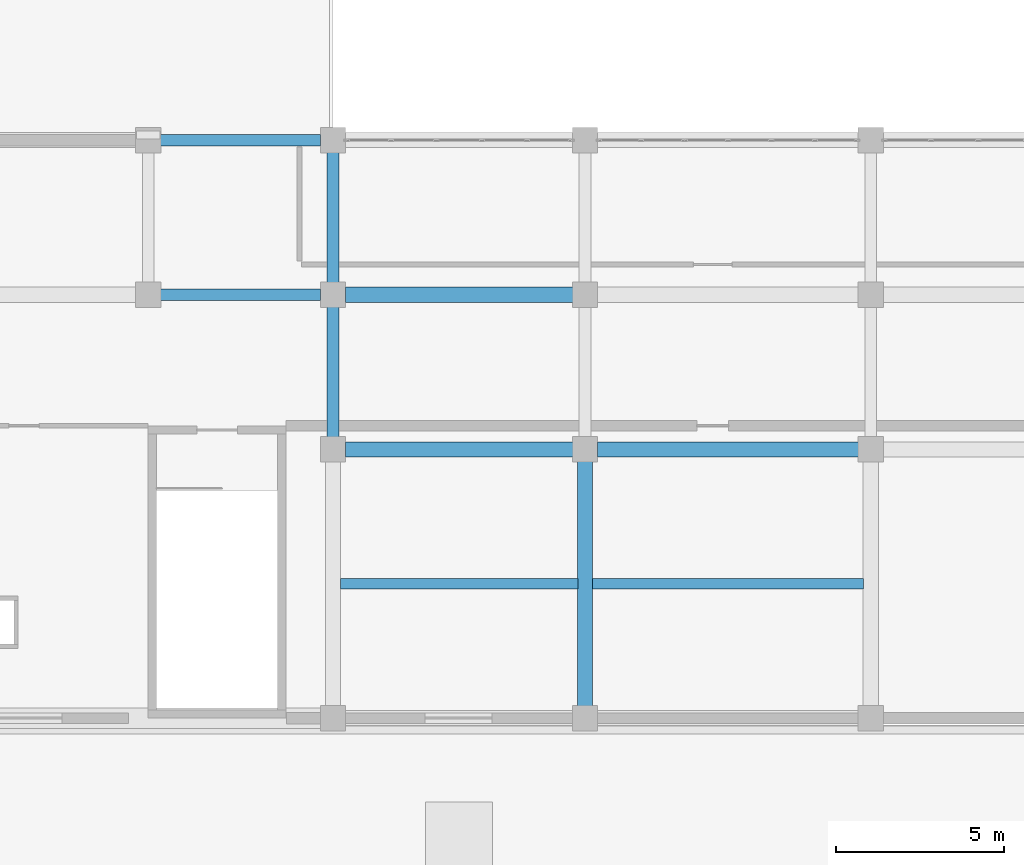
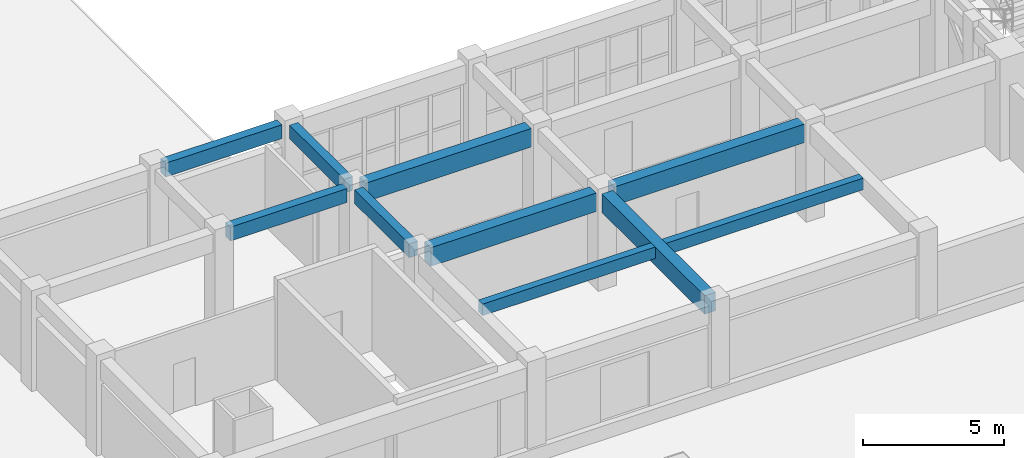
# One storey, part 2 of 90: 10 beams.
"""IFC4 building model written with IfcOpenShell, lengths in metres."""

import ifcopenshell
import ifcopenshell.guid

model = None  # the IFC model being written
_history = None  # IfcOwnerHistory: only IFC2X3 demands one
_inside = {}  # id of a spatial element -> (the spatial element, [elements in it])
_under = {}  # id of a project, library or spatial element -> (it, [spatial elements below it])
_declared = {}  # id of a project -> (the project, [libraries it declares])
_typed = {}  # id of a type object -> (the type object, [elements of that type])
_made_of = {}  # id of a material, layer set ... -> (it, [elements and type objects made of it])


def new_model(schema):
    """Start an empty IFC model of exactly this schema.

    Asked for "IFC4X3", IfcOpenShell would pick the latest addendum, in which some entities
    have other attributes; the version numbers below select the first issue.
    IFC2X3 requires an IfcOwnerHistory on every rooted entity: one is made here for all.
    """
    global model, _history
    if schema == "IFC4X3":
        model = ifcopenshell.file(schema_version=(4, 3, 0, 0))
    else:
        model = ifcopenshell.file(schema=schema)
    _inside.clear()
    _under.clear()
    _declared.clear()
    _typed.clear()
    _made_of.clear()
    _history = None
    if model.schema == "IFC2X3":
        org = make("IfcOrganization", Name="unknown")
        user = make(
            "IfcPersonAndOrganization",
            ThePerson=make("IfcPerson", FamilyName="unknown"),
            TheOrganization=org,
        )
        app = make(
            "IfcApplication",
            ApplicationDeveloper=org,
            Version="unknown",
            ApplicationFullName="unknown",
            ApplicationIdentifier="unknown",
        )
        _history = make(
            "IfcOwnerHistory",
            OwningUser=user,
            OwningApplication=app,
            ChangeAction="ADDED",
            CreationDate=0,
        )
    return model


def make(cls, **values):
    """One entity of the class cls with the attributes given. An attribute that is None is left unset."""
    return model.create_entity(
        cls, **{name: value for name, value in values.items() if value is not None}
    )


def rooted(cls, **values):
    """An entity with a GlobalId (a new one), such as an element, a storey or a relation."""
    return make(cls, GlobalId=ifcopenshell.guid.new(), OwnerHistory=_history, **values)


def si_unit(unit_type, name, prefix=None):
    """IfcSIUnit, for example si_unit("LENGTHUNIT", "METRE", prefix="MILLI")."""
    return make("IfcSIUnit", UnitType=unit_type, Prefix=prefix, Name=name)


def assignment(units):
    """IfcUnitAssignment: the units of a project."""
    return None if units is None else make("IfcUnitAssignment", Units=units)


def point(xyz):
    """IfcCartesianPoint."""
    return None if xyz is None else make("IfcCartesianPoint", Coordinates=xyz)


def direction(xyz):
    """IfcDirection."""
    return None if xyz is None else make("IfcDirection", DirectionRatios=xyz)


def frame(location, z_axis=None, x_axis=None):
    """IfcAxis2Placement3D, a coordinate frame: its origin and axes. An axis left out is left unset."""
    return make(
        "IfcAxis2Placement3D",
        Location=point(location),
        Axis=direction(z_axis),
        RefDirection=direction(x_axis),
    )


def frame_2d(location, x_axis=None):
    """IfcAxis2Placement2D, a coordinate frame in the plane: its origin and x axis."""
    return make(
        "IfcAxis2Placement2D", Location=point(location), RefDirection=direction(x_axis)
    )


def origin():
    """The frame at (0, 0, 0) with its axes left unset."""
    return frame((0.0, 0.0, 0.0))


def origin_2d():
    """The frame at (0, 0) in the plane with its x axis left unset."""
    return frame_2d((0.0, 0.0))


def place(relative_to, where):
    """IfcLocalPlacement: puts the frame where relative to a parent placement (None: the world)."""
    return make(
        "IfcLocalPlacement", PlacementRelTo=relative_to, RelativePlacement=where
    )


def context(
    kind, dimensions, precision=None, world=None, true_north=None, identifier=None
):
    """IfcGeometricRepresentationContext, for example the 3D "Model" context."""
    return make(
        "IfcGeometricRepresentationContext",
        ContextIdentifier=identifier,
        ContextType=kind,
        CoordinateSpaceDimension=dimensions,
        Precision=precision,
        WorldCoordinateSystem=world,
        TrueNorth=true_north,
    )


def subcontext(parent, identifier, kind, view, scale=None):
    """IfcGeometricRepresentationSubContext, for example "Body" below "Model"."""
    return make(
        "IfcGeometricRepresentationSubContext",
        ContextIdentifier=identifier,
        ContextType=kind,
        ParentContext=parent,
        TargetScale=scale,
        TargetView=view,
    )


def project(units=None, contexts=None):
    """IfcProject with its units and contexts."""
    return rooted(
        "IfcProject",
        Name="project",
        RepresentationContexts=contexts,
        UnitsInContext=assignment(units),
    )


def spatial(cls, under=None, at=None, **own):
    """A site, building, storey or space (cls), placed at a placement, below another one or the project."""
    s = rooted(cls, ObjectPlacement=at, **own)
    if under is not None:
        _under.setdefault(under.id(), (under, []))[1].append(s)
    return s


def profile(cls, at=None, kind="AREA", **sizes):
    """A parametric profile (cls). Its sizes go by their IFC names, for example OverallWidth=200.0."""
    return make(cls, ProfileType=kind, Position=at, **sizes)


def rectangle(**sizes):
    """IfcRectangleProfileDef."""
    return profile("IfcRectangleProfileDef", **sizes)


def extrude(swept, where, along, depth):
    """IfcExtrudedAreaSolid: the profile swept, set in the frame where, extruded along a direction by depth."""
    return make(
        "IfcExtrudedAreaSolid",
        SweptArea=swept,
        Position=where,
        ExtrudedDirection=direction(along),
        Depth=depth,
    )


def shape(context_of_items, identifier, shape_type, items):
    """IfcShapeRepresentation: the items that make up one representation, for example the "Body"."""
    return make(
        "IfcShapeRepresentation",
        ContextOfItems=context_of_items,
        RepresentationIdentifier=identifier,
        RepresentationType=shape_type,
        Items=items,
    )


def material(Name=None, Category=None):
    """IfcMaterial."""
    return make("IfcMaterial", Name=Name, Category=Category)


def material_profile(
    of_material, cross_section, Name=None, Category=None, Priority=None
):
    """IfcMaterialProfile: a cross section and its material."""
    return make(
        "IfcMaterialProfile",
        Name=Name,
        Material=of_material,
        Profile=cross_section,
        Priority=Priority,
        Category=Category,
    )


def profile_set(profiles, Name=None, composite=None):
    """IfcMaterialProfileSet."""
    return make(
        "IfcMaterialProfileSet",
        Name=Name,
        MaterialProfiles=profiles,
        CompositeProfile=composite,
    )


def made_of(thing, what):
    """Note that an element or type object is made of a material, layer set ...; save() writes the relation."""
    if what is not None:
        _made_of.setdefault(what.id(), (what, []))[1].append(thing)
    return thing


def type_object(cls, material=None, **own):
    """A type object (cls), such as IfcWallType, which elements share."""
    return made_of(rooted(cls, **own), material)


def element(
    cls,
    number,
    at=None,
    inside=None,
    cuts=None,
    type_object=None,
    material=None,
    context=None,
    identifier="Body",
    shape_type=None,
    held_by="IfcProductDefinitionShape",
    body=None,
    shapes=None,
    **own,
):
    """One element of the class cls, such as IfcWall. Its Tag is "e" and its number.

    at: its placement. inside: the storey or other place that contains it. cuts: it is an
    opening in that element (IfcRelVoidsElement). A single representation is given by context,
    identifier, shape_type and body (its items); several are given by shapes. held_by: the class
    of the entity that holds the representations. save() writes the other relations.
    """
    e = rooted(cls, Tag="e%d" % number, ObjectPlacement=at, **own)
    if body is not None:
        shapes = [shape(context, identifier, shape_type, body)]
    if shapes is not None:
        e.Representation = make(held_by, Representations=shapes)
    if inside is not None:
        _inside.setdefault(inside.id(), (inside, []))[1].append(e)
    if cuts is not None:
        rooted(
            "IfcRelVoidsElement", RelatingBuildingElement=cuts, RelatedOpeningElement=e
        )
    if type_object is not None:
        _typed.setdefault(type_object.id(), (type_object, []))[1].append(e)
    return made_of(e, material)


def aggregate(whole, parts):
    """IfcRelAggregates: a whole, such as a stair, and the parts it consists of."""
    return rooted("IfcRelAggregates", RelatingObject=whole, RelatedObjects=parts)


def save(model, path):
    """Write the relations noted so far, then the file.

    IfcRelAggregates (storeys below a building ...), IfcRelContainedInSpatialStructure (elements
    in a storey), IfcRelDefinesByType, IfcRelAssociatesMaterial and IfcRelDeclares: one each for
    every whole, place, type object, material and project.
    """
    for whole, parts in _under.values():
        aggregate(whole, parts)
    for where, things in _inside.values():
        rooted(
            "IfcRelContainedInSpatialStructure",
            RelatedElements=things,
            RelatingStructure=where,
        )
    for kind, things in _typed.values():
        rooted("IfcRelDefinesByType", RelatedObjects=things, RelatingType=kind)
    for what, things in _made_of.values():
        rooted("IfcRelAssociatesMaterial", RelatedObjects=things, RelatingMaterial=what)
    for by, libraries in _declared.values():
        rooted("IfcRelDeclares", RelatingContext=by, RelatedDefinitions=libraries)
    model.write(path)


model = new_model("IFC4")

# Units and contexts
model_context = context("Model", 3, precision=1e-05, world=origin(), true_north=direction((0.0, 1.0)))
body_context = subcontext(model_context, "Body", "Model", "MODEL_VIEW")
ifc_project = project(units=[si_unit("LENGTHUNIT", "METRE"), si_unit("AREAUNIT", "SQUARE_METRE"), si_unit("VOLUMEUNIT", "CUBIC_METRE"), si_unit("PLANEANGLEUNIT", "RADIAN"), si_unit("MASSUNIT", "GRAM", prefix="KILO")], contexts=[model_context])

# Site, building, storey
site_placement = place(None, origin())
site = spatial("IfcSite", under=ifc_project, at=site_placement, CompositionType="ELEMENT")
building_placement = place(site_placement, origin())
building = spatial("IfcBuilding", under=site, at=building_placement, Name="Muzn Square Opera House", CompositionType="ELEMENT")
storey_placement = place(building_placement, frame((0.0, 0.0, 9.800048828125)))
storey = spatial("IfcBuildingStorey", under=building, at=storey_placement, Name="L02", CompositionType="ELEMENT", Elevation=9.800048828125)

# Beams
ifc_material = material(Name="Concrete C40/50", Category="concrete")
ifc_material_profile_1 = material_profile(ifc_material, rectangle(XDim=0.300048828125, YDim=0.5, at=origin_2d()), Name="RCJ 300x500", Category="concrete")
ifc_profile_set_1 = profile_set([ifc_material_profile_1], Name="Concrete C40/50")
beam_type_1 = type_object("IfcBeamType", Name="Floor Joist 300x500", PredefinedType="JOIST", material=ifc_profile_set_1)
beam_1_placement = place(storey_placement, frame((19.217041015625, 18.0, 3.89990234375), z_axis=(1.0, 0.0, 0.0), x_axis=(0.0, 1.0, 0.0)))
element("IfcBeam", 1, at=beam_1_placement, inside=storey, type_object=beam_type_1, Name="Floor Joist BM-L02-BM-J500-192_180_263_180-2294", PredefinedType="JOIST", context=body_context, shape_type="SweptSolid", body=[
    extrude(rectangle(XDim=0.300048828125, YDim=0.5, at=origin_2d()), origin(), (0.0, 0.0, 1.0), 7.06591796875),
])
beam_2_placement = place(storey_placement, frame((26.717041015625, 18.0, 3.89990234375), z_axis=(1.0, 0.0, 0.0), x_axis=(0.0, 1.0, 0.0)))
element("IfcBeam", 2, at=beam_2_placement, inside=storey, type_object=beam_type_1, Name="Floor Joist BM-L02-BM-J500-267_180_348_180-2301", PredefinedType="JOIST", context=body_context, shape_type="SweptSolid", body=[
    extrude(rectangle(XDim=0.300048828125, YDim=0.5, at=origin_2d()), origin(), (0.0, 0.0, 1.0), 8.06591796875),
])
ifc_material_profile_2 = material_profile(ifc_material, rectangle(XDim=0.35009765625, YDim=0.60009765625, at=origin_2d()), Name="RCB 350x600", Category="concrete")
ifc_profile_set_2 = profile_set([ifc_material_profile_2], Name="Concrete C40/50")
beam_type_2 = type_object("IfcBeamType", Name="Primary Girder 350x600", PredefinedType="BEAM", material=ifc_profile_set_2)
for number, where, z_axis, x_axis, name in (
    (3, (13.866943359375, 26.60009765625, 3.849853515625), (1.0, 0.0, 0.0), (0.0, 1.0, 0.0), "Primary Girder BM-L02-BM-PG600-139_266_186_266-1965"),
    (4, (13.866943359375, 31.199951171875, 3.820068359375), (1.0, 0.0, 0.0), (0.0, 1.0, 0.0), "Primary Girder BM-L02-BM-PG600-139_312_186_312-1980"),
):
    element("IfcBeam", number, at=place(storey_placement, frame(where, z_axis=z_axis, x_axis=x_axis)), inside=storey, type_object=beam_type_2, Name=name, PredefinedType="BEAM", context=body_context, shape_type="SweptSolid", body=[
        extrude(rectangle(XDim=0.35009765625, YDim=0.60009765625, at=origin_2d()), origin(), (0.0, 0.0, 1.0), 4.76611328125),
    ])
for number, where, z_axis, x_axis, name in (
    (5, (19.0, 22.366943359375, 3.849853515625), (0.0, 1.0, 0.0), (-1.0, 0.0, 0.0), "Primary Girder BM-L02-BM-PG600-190_224_190_262-2122"),
    (6, (19.0, 26.967041015625, 3.849853515625), (0.0, 1.0, 0.0), (-1.0, 0.0, 0.0), "Primary Girder BM-L02-BM-PG600-190_270_190_308-2123"),
):
    element("IfcBeam", number, at=place(storey_placement, frame(where, z_axis=z_axis, x_axis=x_axis)), inside=storey, type_object=beam_type_2, Name=name, PredefinedType="BEAM", context=body_context, shape_type="SweptSolid", body=[
        extrude(rectangle(XDim=0.35009765625, YDim=0.60009765625, at=origin_2d()), origin(), (0.0, 0.0, 1.0), 3.865966796875),
    ])
ifc_material_profile_3 = material_profile(ifc_material, rectangle(XDim=0.449951171875, YDim=0.800048828125, at=origin_2d()), Name="RCB 450x800", Category="concrete")
ifc_profile_set_3 = profile_set([ifc_material_profile_3], Name="Concrete C40/50")
beam_type_3 = type_object("IfcBeamType", Name="Primary Girder 450x800", PredefinedType="BEAM", material=ifc_profile_set_3)
beam_3_placement = place(storey_placement, frame((19.366943359375, 22.0, 3.75), z_axis=(1.0, 0.0, 0.0), x_axis=(0.0, 1.0, 0.0)))
element("IfcBeam", 7, at=beam_3_placement, inside=storey, type_object=beam_type_3, Name="Primary Girder BM-L02-BM-PG800-194_220_261_220-1946", PredefinedType="BEAM", context=body_context, shape_type="SweptSolid", body=[
    extrude(rectangle(XDim=0.449951171875, YDim=0.800048828125, at=origin_2d()), origin(), (0.0, 0.0, 1.0), 6.76611328125),
])
beam_4_placement = place(storey_placement, frame((26.866943359375, 22.0, 3.75), z_axis=(1.0, 0.0, 0.0), x_axis=(0.0, 1.0, 0.0)))
element("IfcBeam", 8, at=beam_4_placement, inside=storey, type_object=beam_type_3, Name="Primary Girder BM-L02-BM-PG800-269_220_346_220-1947", PredefinedType="BEAM", context=body_context, shape_type="SweptSolid", body=[
    extrude(rectangle(XDim=0.449951171875, YDim=0.800048828125, at=origin_2d()), origin(), (0.0, 0.0, 1.0), 7.76611328125),
])
beam_5_placement = place(storey_placement, frame((19.366943359375, 26.60009765625, 3.75), z_axis=(1.0, 0.0, 0.0), x_axis=(0.0, 1.0, 0.0)))
element("IfcBeam", 9, at=beam_5_placement, inside=storey, type_object=beam_type_3, Name="Primary Girder BM-L02-BM-PG800-194_266_261_266-1966", PredefinedType="BEAM", context=body_context, shape_type="SweptSolid", body=[
    extrude(rectangle(XDim=0.449951171875, YDim=0.800048828125, at=origin_2d()), origin(), (0.0, 0.0, 1.0), 6.76611328125),
])
beam_6_placement = place(storey_placement, frame((26.5, 14.366943359375, 3.75), z_axis=(0.0, 1.0, 0.0), x_axis=(-1.0, 0.0, 0.0)))
element("IfcBeam", 10, at=beam_6_placement, inside=storey, type_object=beam_type_3, Name="Primary Girder BM-L02-BM-PG800-265_144_265_216-2131", PredefinedType="BEAM", context=body_context, shape_type="SweptSolid", body=[
    extrude(rectangle(XDim=0.449951171875, YDim=0.800048828125, at=origin_2d()), origin(), (0.0, 0.0, 1.0), 7.26611328125),
])

save(model, "model.ifc")
